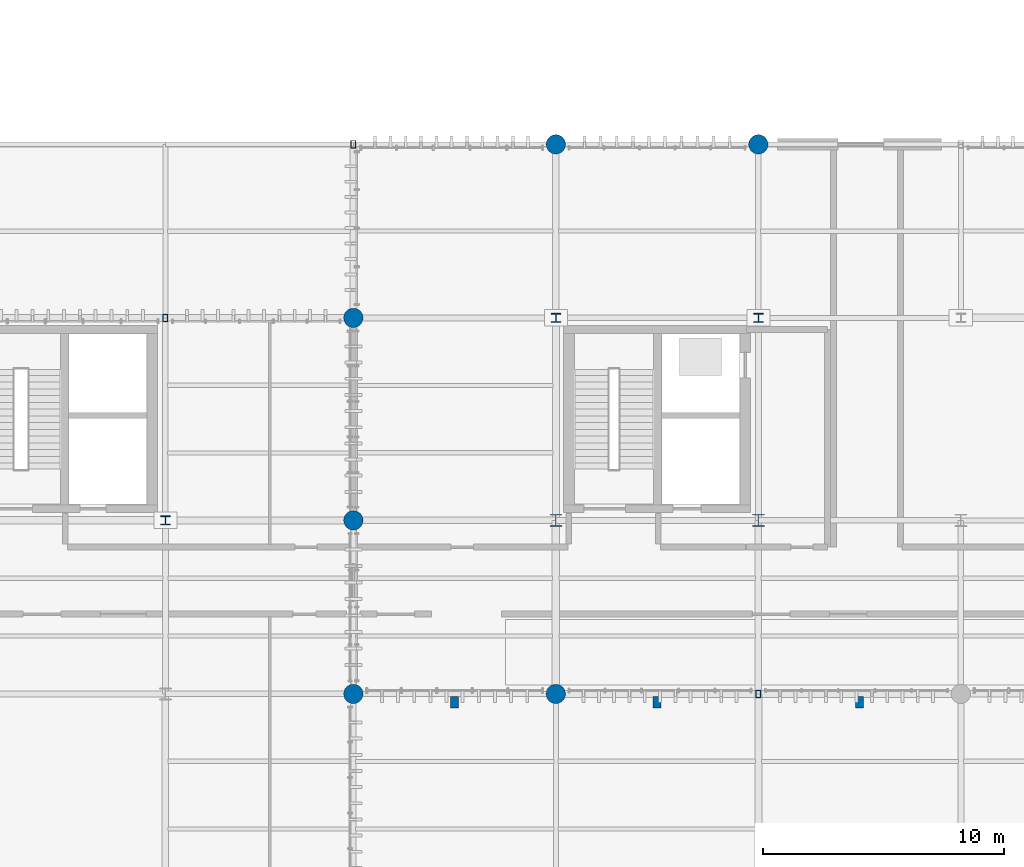
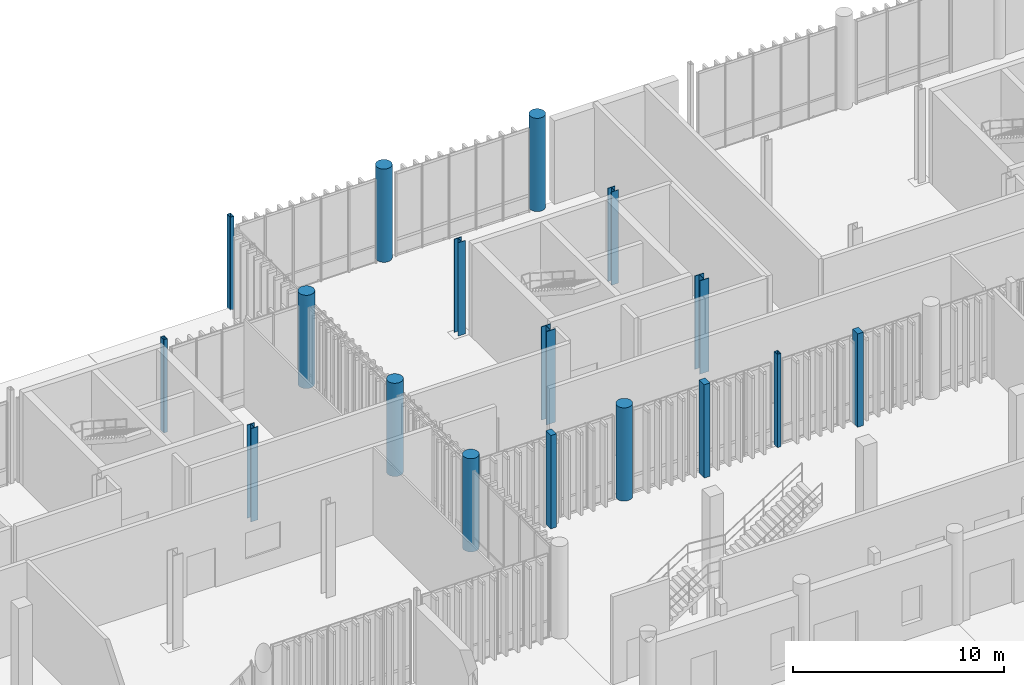
# One storey, part 5 of 112: 17 columns.
"""IFC4 building model written with IfcOpenShell, lengths in metres."""

from ifc_helpers import new_model, si_unit, direction, frame, origin_with_axes, origin_2d_with_axis, place, context, subcontext, project, spatial, rectangle, hollow_rectangle, circle, i_section, extrude, material, material_profile, profile_set, type_object, element, save


model = new_model("IFC4")

# Units and contexts
model_context = context("Model", 3, precision=1e-05, world=origin_with_axes(), true_north=direction((0.0, 1.0)))
body_context = subcontext(model_context, "Body", "Model", "MODEL_VIEW")
ifc_project = project(units=[si_unit("LENGTHUNIT", "METRE"), si_unit("AREAUNIT", "SQUARE_METRE"), si_unit("VOLUMEUNIT", "CUBIC_METRE"), si_unit("PLANEANGLEUNIT", "RADIAN"), si_unit("MASSUNIT", "GRAM", prefix="KILO"), si_unit("THERMODYNAMICTEMPERATUREUNIT", "KELVIN")], contexts=[model_context])

# Site, building, storey
site_placement = place(None, origin_with_axes())
site = spatial("IfcSite", under=ifc_project, at=site_placement, CompositionType="ELEMENT")
building_placement = place(site_placement, origin_with_axes())
building = spatial("IfcBuilding", under=site, at=building_placement, Name="Montbau Bow Law Courts", CompositionType="ELEMENT")
storey_placement = place(building_placement, origin_with_axes())
storey = spatial("IfcBuildingStorey", under=building, at=storey_placement, Name="L00", CompositionType="ELEMENT", Elevation=0.0)

# Columns
ifc_material_1 = material(Name="Steel CSA G40.21 Grade 350WT (350 MPa)", Category="steel")
ifc_material_profile_1 = material_profile(ifc_material_1, hollow_rectangle(XDim=0.203, YDim=0.305, WallThickness=0.0127, InnerFilletRadius=0.0254, OuterFilletRadius=0.0127, at=origin_2d_with_axis()), Name="HSS305X203X13", Category="Main", Priority=0)
ifc_profile_set_1 = profile_set([ifc_material_profile_1], Name="Steel CSA G40.21 Grade 350WT (350 MPa)")
column_type_1 = type_object("IfcColumnType", Name="C-HSS-03", PredefinedType="COLUMN", material=ifc_profile_set_1)
for number, where, z_axis, x_axis, name in (
    (1, (39.0, 54.6, 0.0), (0.0, 0.0, 1.0), (1.0, 0.0, 0.0), "C-L00-S0219:col2_0219"),
    (2, (46.8, 61.8, 0.0), (0.0, 0.0, 1.0), (1.0, 0.0, 0.0), "C-L00-S0225:col2_0225"),
    (3, (63.6, 39.0, 0.0), (0.0, 0.0, 1.0), (1.0, 0.0, 0.0), "C-L00-S0234:col2_0234"),
):
    element("IfcColumn", number, at=place(None, frame(where, z_axis=z_axis, x_axis=x_axis)), inside=storey, type_object=column_type_1, Name=name, PredefinedType="COLUMN", context=body_context, shape_type="SweptSolid", body=[
        extrude(hollow_rectangle(XDim=0.203, YDim=0.305, WallThickness=0.0127, InnerFilletRadius=0.0254, OuterFilletRadius=0.0127, at=origin_2d_with_axis()), origin_with_axes(), (0.0, 0.0, 1.0), 5.4),
    ])
ifc_material_2 = material(Name="Concrete CSA A23.1 f'c 40 MPa", Category="concrete")
ifc_material_profile_2 = material_profile(ifc_material_2, rectangle(XDim=0.32, YDim=0.48, at=origin_2d_with_axis()), Name="RC480X320", Category="Main", Priority=0)
ifc_profile_set_2 = profile_set([ifc_material_profile_2], Name="Concrete CSA A23.1 f'c 40 MPa")
column_type_2 = type_object("IfcColumnType", Name="C-PIL-02", PredefinedType="PILASTER", material=ifc_profile_set_2)
for number, where, z_axis, x_axis, name in (
    (4, (51.0, 38.65, 0.0), (0.0, 0.0, 1.0), (1.0, 0.0, 0.0), "PL-L00-S09:pil2_0026"),
    (5, (59.4, 38.65, 0.0), (0.0, 0.0, 1.0), (1.0, 0.0, 0.0), "PL-L00-S10:pil2_0029"),
    (6, (67.8, 38.65, 0.0), (0.0, 0.0, 1.0), (1.0, 0.0, 0.0), "PL-L00-S11:pil2_0032"),
):
    element("IfcColumn", number, at=place(None, frame(where, z_axis=z_axis, x_axis=x_axis)), inside=storey, type_object=column_type_2, Name=name, PredefinedType="PILASTER", context=body_context, shape_type="SweptSolid", body=[
        extrude(rectangle(XDim=0.32, YDim=0.48, at=origin_2d_with_axis()), origin_with_axes(), (0.0, 0.0, 1.0), 5.4),
    ])
ifc_material_profile_3 = material_profile(ifc_material_2, circle(Radius=0.4, at=origin_2d_with_axis()), Name="RC800D", Category="Main", Priority=0)
ifc_profile_set_3 = profile_set([ifc_material_profile_3], Name="Concrete CSA A23.1 f'c 40 MPa")
column_type_3 = type_object("IfcColumnType", Name="C-RC-07", PredefinedType="COLUMN", material=ifc_profile_set_3)
for number, where, z_axis, x_axis, name in (
    (7, (46.8, 39.0, 0.0), (0.0, 0.0, 1.0), (1.0, 0.0, 0.0), "C-L00-S0222:col2_0222"),
    (8, (46.8, 46.2, 0.0), (0.0, 0.0, 1.0), (1.0, 0.0, 0.0), "C-L00-S0223:col2_0223"),
    (9, (46.8, 54.6, 0.0), (0.0, 0.0, 1.0), (1.0, 0.0, 0.0), "C-L00-S0224:col2_0224"),
    (10, (55.2, 39.0, 0.0), (0.0, 0.0, 1.0), (1.0, 0.0, 0.0), "C-L00-S0228:col2_0228"),
    (11, (55.2, 61.8, 0.0), (0.0, 0.0, 1.0), (1.0, 0.0, 0.0), "C-L00-S0231:col2_0231"),
    (12, (63.6, 61.8, 0.0), (0.0, 0.0, 1.0), (1.0, 0.0, 0.0), "C-L00-S0237:col2_0237"),
):
    element("IfcColumn", number, at=place(None, frame(where, z_axis=z_axis, x_axis=x_axis)), inside=storey, type_object=column_type_3, Name=name, PredefinedType="COLUMN", context=body_context, shape_type="SweptSolid", body=[
        extrude(circle(Radius=0.4, at=origin_2d_with_axis()), origin_with_axes(), (0.0, 0.0, 1.0), 5.4),
    ])
ifc_material_3 = material(Name="Steel CSA G40.21 Grade 350W (350 MPa)", Category="steel")
ifc_material_profile_4 = material_profile(ifc_material_3, i_section(OverallWidth=0.5, OverallDepth=0.5, WebThickness=0.022, FlangeThickness=0.036, at=origin_2d_with_axis()), Name="WWF500X343", Category="Main", Priority=0)
ifc_profile_set_4 = profile_set([ifc_material_profile_4], Name="Steel CSA G40.21 Grade 350W (350 MPa)")
column_type_4 = type_object("IfcColumnType", Name="C-STL-02", PredefinedType="COLUMN", material=ifc_profile_set_4)
for number, where, z_axis, x_axis, name in (
    (13, (55.2, 46.2, 0.0), (0.0, 0.0, 1.0), (1.0, 0.0, 0.0), "C-L00-S0229:col2_0229"),
    (14, (63.6, 46.2, 0.0), (0.0, 0.0, 1.0), (1.0, 0.0, 0.0), "C-L00-S0235:col2_0235"),
):
    element("IfcColumn", number, at=place(None, frame(where, z_axis=z_axis, x_axis=x_axis)), inside=storey, type_object=column_type_4, Name=name, PredefinedType="COLUMN", context=body_context, shape_type="SweptSolid", body=[
        extrude(i_section(OverallWidth=0.5, OverallDepth=0.5, WebThickness=0.022, FlangeThickness=0.036, at=origin_2d_with_axis()), origin_with_axes(), (0.0, 0.0, 1.0), 5.4),
    ])
ifc_material_profile_5 = material_profile(ifc_material_3, i_section(OverallWidth=0.395, OverallDepth=0.38, WebThickness=0.0189, FlangeThickness=0.0302, at=origin_2d_with_axis()), Name="W360X237", Category="Main", Priority=0)
ifc_profile_set_5 = profile_set([ifc_material_profile_5], Name="Steel CSA G40.21 Grade 350W (350 MPa)")
column_type_5 = type_object("IfcColumnType", Name="C-STL-03", PredefinedType="COLUMN", material=ifc_profile_set_5)
for number, where, z_axis, x_axis, name in (
    (15, (39.0, 46.2, 0.0), (0.0, 0.0, 1.0), (1.0, 0.0, 0.0), "C-L00-S0218:col2_0218"),
    (16, (55.2, 54.6, 0.0), (0.0, 0.0, 1.0), (1.0, 0.0, 0.0), "C-L00-S0230:col2_0230"),
    (17, (63.6, 54.6, 0.0), (0.0, 0.0, 1.0), (1.0, 0.0, 0.0), "C-L00-S0236:col2_0236"),
):
    element("IfcColumn", number, at=place(None, frame(where, z_axis=z_axis, x_axis=x_axis)), inside=storey, type_object=column_type_5, Name=name, PredefinedType="COLUMN", context=body_context, shape_type="SweptSolid", body=[
        extrude(i_section(OverallWidth=0.395, OverallDepth=0.38, WebThickness=0.0189, FlangeThickness=0.0302, at=origin_2d_with_axis()), origin_with_axes(), (0.0, 0.0, 1.0), 5.4),
    ])

save(model, "model.ifc")
